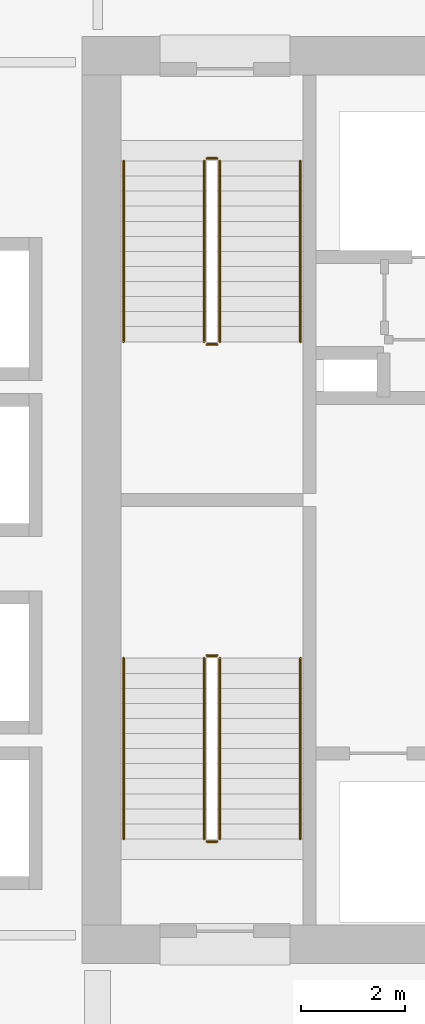
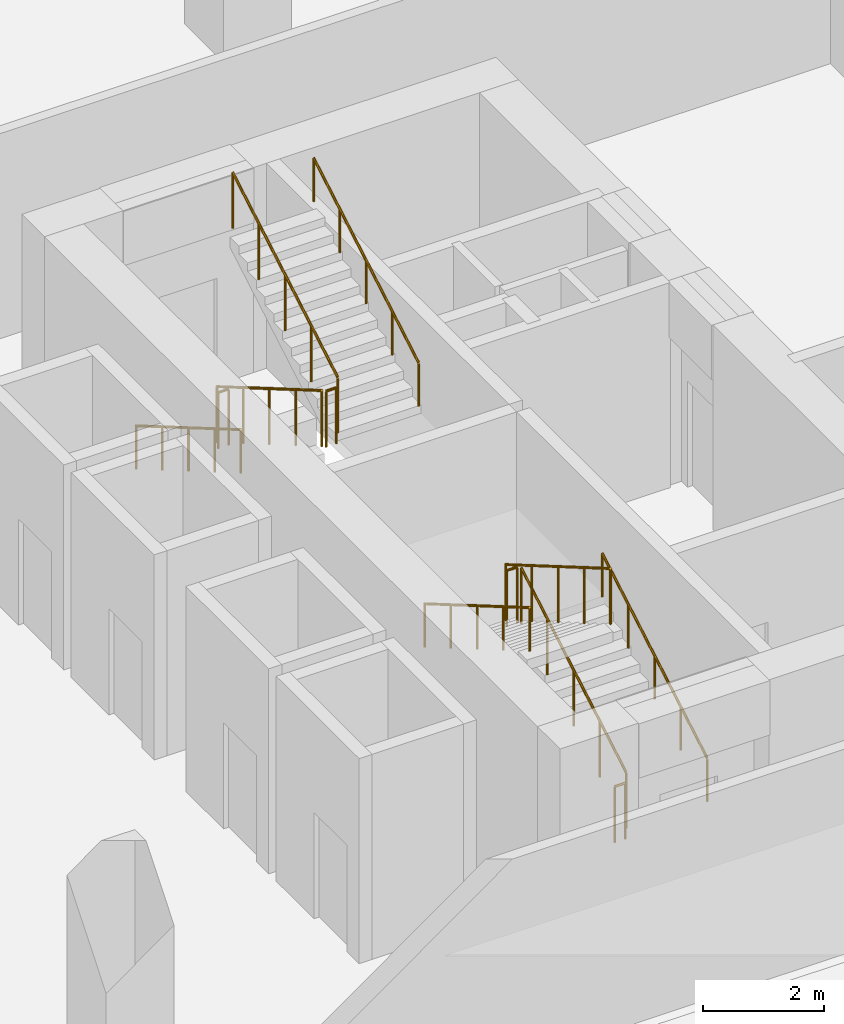
# One storey, part 19 of 21: 12 railings.
"""IFC4 building model written with IfcOpenShell, lengths in metres."""

from ifc_helpers import new_model, si_unit, direction, frame, origin, origin_2d, place, context, subcontext, project, spatial, circle, extrude, material, type_object, element, save


model = new_model("IFC4")

# Units and contexts
model_context = context("Model", 3, precision=1e-05, world=origin(), true_north=direction((0.0, 1.0)))
body_context = subcontext(model_context, "Body", "Model", "MODEL_VIEW")
ifc_project = project(units=[si_unit("LENGTHUNIT", "METRE"), si_unit("AREAUNIT", "SQUARE_METRE"), si_unit("VOLUMEUNIT", "CUBIC_METRE"), si_unit("PLANEANGLEUNIT", "RADIAN"), si_unit("MASSUNIT", "GRAM", prefix="KILO")], contexts=[model_context])

# Site, building, storey
site_placement = place(None, origin())
site = spatial("IfcSite", under=ifc_project, at=site_placement, CompositionType="ELEMENT")
building_placement = place(site_placement, origin())
building = spatial("IfcBuilding", under=site, at=building_placement, Name="Koriwani Terraces Tower", CompositionType="ELEMENT")
storey_placement = place(building_placement, frame((0.0, 0.0, 85.199951171875)))
storey = spatial("IfcBuildingStorey", under=building, at=storey_placement, Name="L20", CompositionType="ELEMENT", Elevation=85.199951171875)

# Railings
ifc_material = material(Name="Steel ASTM A572 Grade 50", Category="steel")
railing_type_1 = type_object("IfcRailingType", Name="GUARD_STAIR_WELL_1120", PredefinedType="GUARDRAIL", material=ifc_material)
railing_1_placement = place(storey_placement, frame((19.14990234375, 43.85009765625, 0.169189453125)))
element("IfcRailing", 1, at=railing_1_placement, inside=storey, type_object=railing_type_1, Name="L20 ST-W1 stair guard 1", PredefinedType="GUARDRAIL", context=body_context, shape_type="SweptSolid", body=[
    extrude(circle(Radius=0.02392578125, at=origin_2d()), frame((0.0, 0.0, 1.1259765625), z_axis=(0.0, 0.863695377172, 0.504014181796), x_axis=(-1.0, 0.0, 0.0)), (0.0, 0.0, 1.0), 4.029296875),
    extrude(circle(Radius=0.02099609375, at=origin_2d()), origin(), (0.0, 0.0, 1.0), 1.101806640625),
    extrude(circle(Radius=0.02099609375, at=origin_2d()), frame((0.0, 0.8701171875, 0.5078125)), (0.0, 0.0, 1.0), 1.101806640625),
    extrude(circle(Radius=0.02099609375, at=origin_2d()), frame((0.0, 1.739990234375, 1.015380859375)), (0.0, 0.0, 1.0), 1.101806640625),
    extrude(circle(Radius=0.02099609375, at=origin_2d()), frame((0.0, 2.60986328125, 1.52294921875)), (0.0, 0.0, 1.0), 1.101806640625),
    extrude(circle(Radius=0.02099609375, at=origin_2d()), frame((0.0, 3.47998046875, 2.03076171875)), (0.0, 0.0, 1.0), 1.101806640625),
])
railing_2_placement = place(storey_placement, frame((19.10009765625, 47.3798828125, 2.199951171875)))
element("IfcRailing", 2, at=railing_2_placement, inside=storey, type_object=railing_type_1, Name="L20 ST-W1 stair guard 2", PredefinedType="GUARDRAIL", context=body_context, shape_type="SweptSolid", body=[
    extrude(circle(Radius=0.02392578125, at=origin_2d()), frame((0.0, 0.0, 1.1259765625), z_axis=(-1.0, 0.0, 0.0), x_axis=(0.0, -1.0, 0.0)), (0.0, 0.0, 1.0), 0.2001953125),
    extrude(circle(Radius=0.02099609375, at=origin_2d()), origin(), (0.0, 0.0, 1.0), 1.101806640625),
    extrude(circle(Radius=0.02099609375, at=origin_2d()), frame((-0.2001953125, 0.0, 0.0)), (0.0, 0.0, 1.0), 1.101806640625),
])
railing_3_placement = place(storey_placement, frame((18.85009765625, 47.330078125, 2.369384765625)))
element("IfcRailing", 3, at=railing_3_placement, inside=storey, type_object=railing_type_1, Name="L20 ST-W1 stair guard 3", PredefinedType="GUARDRAIL", context=body_context, shape_type="SweptSolid", body=[
    extrude(circle(Radius=0.02392578125, at=origin_2d()), frame((0.0, 0.0, 1.1259765625), z_axis=(0.0, -0.863695377172, 0.504014181796), x_axis=(1.0, 0.0, 0.0)), (0.0, 0.0, 1.0), 4.029296875),
    extrude(circle(Radius=0.02099609375, at=origin_2d()), origin(), (0.0, 0.0, 1.0), 1.101806640625),
    extrude(circle(Radius=0.02099609375, at=origin_2d()), frame((0.0, -0.8701171875, 0.5078125)), (0.0, 0.0, 1.0), 1.101806640625),
    extrude(circle(Radius=0.02099609375, at=origin_2d()), frame((0.0, -1.739990234375, 1.015380859375)), (0.0, 0.0, 1.0), 1.101806640625),
    extrude(circle(Radius=0.02099609375, at=origin_2d()), frame((0.0, -2.60986328125, 1.52294921875)), (0.0, 0.0, 1.0), 1.101806640625),
    extrude(circle(Radius=0.02099609375, at=origin_2d()), frame((0.0, -3.47998046875, 2.03076171875)), (0.0, 0.0, 1.0), 1.101806640625),
])
railing_4_placement = place(storey_placement, frame((19.10009765625, 43.800048828125, 0.0)))
element("IfcRailing", 4, at=railing_4_placement, inside=storey, type_object=railing_type_1, Name="L20 ST-W1 stair guard 4", PredefinedType="GUARDRAIL", context=body_context, shape_type="SweptSolid", body=[
    extrude(circle(Radius=0.02392578125, at=origin_2d()), frame((0.0, 0.0, 1.1259765625), z_axis=(-1.0, 0.0, 0.0), x_axis=(0.0, -1.0, 0.0)), (0.0, 0.0, 1.0), 0.2001953125),
    extrude(circle(Radius=0.02099609375, at=origin_2d()), origin(), (0.0, 0.0, 1.0), 1.101806640625),
    extrude(circle(Radius=0.02099609375, at=origin_2d()), frame((-0.2001953125, 0.0, 0.0)), (0.0, 0.0, 1.0), 1.101806640625),
])
railing_5_placement = place(storey_placement, frame((18.85009765625, 56.89990234375, 0.169189453125)))
element("IfcRailing", 5, at=railing_5_placement, inside=storey, type_object=railing_type_1, Name="L20 ST-W2 stair guard 1", PredefinedType="GUARDRAIL", context=body_context, shape_type="SweptSolid", body=[
    extrude(circle(Radius=0.02392578125, at=origin_2d()), frame((0.0, 0.0, 1.1259765625), z_axis=(0.0, -0.863695377172, 0.504014181796), x_axis=(1.0, 0.0, 0.0)), (0.0, 0.0, 1.0), 4.029296875),
    extrude(circle(Radius=0.02099609375, at=origin_2d()), origin(), (0.0, 0.0, 1.0), 1.101806640625),
    extrude(circle(Radius=0.02099609375, at=origin_2d()), frame((0.0, -0.8701171875, 0.5078125)), (0.0, 0.0, 1.0), 1.101806640625),
    extrude(circle(Radius=0.02099609375, at=origin_2d()), frame((0.0, -1.739990234375, 1.015380859375)), (0.0, 0.0, 1.0), 1.101806640625),
    extrude(circle(Radius=0.02099609375, at=origin_2d()), frame((0.0, -2.60986328125, 1.52294921875)), (0.0, 0.0, 1.0), 1.101806640625),
    extrude(circle(Radius=0.02099609375, at=origin_2d()), frame((0.0, -3.47998046875, 2.03076171875)), (0.0, 0.0, 1.0), 1.101806640625),
])
railing_6_placement = place(storey_placement, frame((18.89990234375, 53.3701171875, 2.199951171875)))
element("IfcRailing", 6, at=railing_6_placement, inside=storey, type_object=railing_type_1, Name="L20 ST-W2 stair guard 2", PredefinedType="GUARDRAIL", context=body_context, shape_type="SweptSolid", body=[
    extrude(circle(Radius=0.02392578125, at=origin_2d()), frame((0.0, 0.0, 1.1259765625), z_axis=(1.0, 0.0, 0.0), x_axis=(0.0, 1.0, 0.0)), (0.0, 0.0, 1.0), 0.2001953125),
    extrude(circle(Radius=0.02099609375, at=origin_2d()), origin(), (0.0, 0.0, 1.0), 1.101806640625),
    extrude(circle(Radius=0.02099609375, at=origin_2d()), frame((0.2001953125, 0.0, 0.0)), (0.0, 0.0, 1.0), 1.101806640625),
])
railing_7_placement = place(storey_placement, frame((19.14990234375, 53.419921875, 2.369384765625)))
element("IfcRailing", 7, at=railing_7_placement, inside=storey, type_object=railing_type_1, Name="L20 ST-W2 stair guard 3", PredefinedType="GUARDRAIL", context=body_context, shape_type="SweptSolid", body=[
    extrude(circle(Radius=0.02392578125, at=origin_2d()), frame((0.0, 0.0, 1.1259765625), z_axis=(0.0, 0.863695377172, 0.504014181796), x_axis=(-1.0, 0.0, 0.0)), (0.0, 0.0, 1.0), 4.029296875),
    extrude(circle(Radius=0.02099609375, at=origin_2d()), origin(), (0.0, 0.0, 1.0), 1.101806640625),
    extrude(circle(Radius=0.02099609375, at=origin_2d()), frame((0.0, 0.8701171875, 0.5078125)), (0.0, 0.0, 1.0), 1.101806640625),
    extrude(circle(Radius=0.02099609375, at=origin_2d()), frame((0.0, 1.739990234375, 1.015380859375)), (0.0, 0.0, 1.0), 1.101806640625),
    extrude(circle(Radius=0.02099609375, at=origin_2d()), frame((0.0, 2.60986328125, 1.52294921875)), (0.0, 0.0, 1.0), 1.101806640625),
    extrude(circle(Radius=0.02099609375, at=origin_2d()), frame((0.0, 3.47998046875, 2.03076171875)), (0.0, 0.0, 1.0), 1.101806640625),
])
railing_8_placement = place(storey_placement, frame((18.89990234375, 56.949951171875, 0.0)))
element("IfcRailing", 8, at=railing_8_placement, inside=storey, type_object=railing_type_1, Name="L20 ST-W2 stair guard 4", PredefinedType="GUARDRAIL", context=body_context, shape_type="SweptSolid", body=[
    extrude(circle(Radius=0.02392578125, at=origin_2d()), frame((0.0, 0.0, 1.1259765625), z_axis=(1.0, 0.0, 0.0), x_axis=(0.0, 1.0, 0.0)), (0.0, 0.0, 1.0), 0.2001953125),
    extrude(circle(Radius=0.02099609375, at=origin_2d()), origin(), (0.0, 0.0, 1.0), 1.101806640625),
    extrude(circle(Radius=0.02099609375, at=origin_2d()), frame((0.2001953125, 0.0, 0.0)), (0.0, 0.0, 1.0), 1.101806640625),
])
railing_type_2 = type_object("IfcRailingType", Name="HANDRAIL_STAIR_920", PredefinedType="HANDRAIL", material=ifc_material)
railing_9_placement = place(storey_placement, frame((20.699951171875, 43.85009765625, 0.169189453125)))
element("IfcRailing", 9, at=railing_9_placement, inside=storey, type_object=railing_type_2, Name="L20 ST-W1 stair handrail 1", PredefinedType="HANDRAIL", context=body_context, shape_type="SweptSolid", body=[
    extrude(circle(Radius=0.02392578125, at=origin_2d()), frame((0.0, 0.0, 0.8759765625), z_axis=(0.0, 0.863695377172, 0.504014181796), x_axis=(-1.0, 0.0, 0.0)), (0.0, 0.0, 1.0), 4.029296875),
    extrude(circle(Radius=0.02099609375, at=origin_2d()), origin(), (0.0, 0.0, 1.0), 0.851806640625),
    extrude(circle(Radius=0.02099609375, at=origin_2d()), frame((0.0, 0.8701171875, 0.5078125)), (0.0, 0.0, 1.0), 0.851806640625),
    extrude(circle(Radius=0.02099609375, at=origin_2d()), frame((0.0, 1.739990234375, 1.015380859375)), (0.0, 0.0, 1.0), 0.851806640625),
    extrude(circle(Radius=0.02099609375, at=origin_2d()), frame((0.0, 2.60986328125, 1.52294921875)), (0.0, 0.0, 1.0), 0.851806640625),
    extrude(circle(Radius=0.02099609375, at=origin_2d()), frame((0.0, 3.47998046875, 2.03076171875)), (0.0, 0.0, 1.0), 0.851806640625),
])
for number, where, name in (
    (10, (17.300048828125, 47.330078125, 2.369384765625), "L20 ST-W1 stair handrail 2"),
    (11, (17.300048828125, 56.89990234375, 0.169189453125), "L20 ST-W2 stair handrail 1"),
):
    element("IfcRailing", number, at=place(storey_placement, frame(where)), inside=storey, type_object=railing_type_2, Name=name, PredefinedType="HANDRAIL", context=body_context, shape_type="SweptSolid", body=[
        extrude(circle(Radius=0.02392578125, at=origin_2d()), frame((0.0, 0.0, 0.8759765625), z_axis=(0.0, -0.863695377172, 0.504014181796), x_axis=(1.0, 0.0, 0.0)), (0.0, 0.0, 1.0), 4.029296875),
        extrude(circle(Radius=0.02099609375, at=origin_2d()), origin(), (0.0, 0.0, 1.0), 0.851806640625),
        extrude(circle(Radius=0.02099609375, at=origin_2d()), frame((0.0, -0.8701171875, 0.5078125)), (0.0, 0.0, 1.0), 0.851806640625),
        extrude(circle(Radius=0.02099609375, at=origin_2d()), frame((0.0, -1.739990234375, 1.015380859375)), (0.0, 0.0, 1.0), 0.851806640625),
        extrude(circle(Radius=0.02099609375, at=origin_2d()), frame((0.0, -2.60986328125, 1.52294921875)), (0.0, 0.0, 1.0), 0.851806640625),
        extrude(circle(Radius=0.02099609375, at=origin_2d()), frame((0.0, -3.47998046875, 2.03076171875)), (0.0, 0.0, 1.0), 0.851806640625),
    ])
railing_10_placement = place(storey_placement, frame((20.699951171875, 53.419921875, 2.369384765625)))
element("IfcRailing", 12, at=railing_10_placement, inside=storey, type_object=railing_type_2, Name="L20 ST-W2 stair handrail 2", PredefinedType="HANDRAIL", context=body_context, shape_type="SweptSolid", body=[
    extrude(circle(Radius=0.02392578125, at=origin_2d()), frame((0.0, 0.0, 0.8759765625), z_axis=(0.0, 0.863695377172, 0.504014181796), x_axis=(-1.0, 0.0, 0.0)), (0.0, 0.0, 1.0), 4.029296875),
    extrude(circle(Radius=0.02099609375, at=origin_2d()), origin(), (0.0, 0.0, 1.0), 0.851806640625),
    extrude(circle(Radius=0.02099609375, at=origin_2d()), frame((0.0, 0.8701171875, 0.5078125)), (0.0, 0.0, 1.0), 0.851806640625),
    extrude(circle(Radius=0.02099609375, at=origin_2d()), frame((0.0, 1.739990234375, 1.015380859375)), (0.0, 0.0, 1.0), 0.851806640625),
    extrude(circle(Radius=0.02099609375, at=origin_2d()), frame((0.0, 2.60986328125, 1.52294921875)), (0.0, 0.0, 1.0), 0.851806640625),
    extrude(circle(Radius=0.02099609375, at=origin_2d()), frame((0.0, 3.47998046875, 2.03076171875)), (0.0, 0.0, 1.0), 0.851806640625),
])

save(model, "model.ifc")
